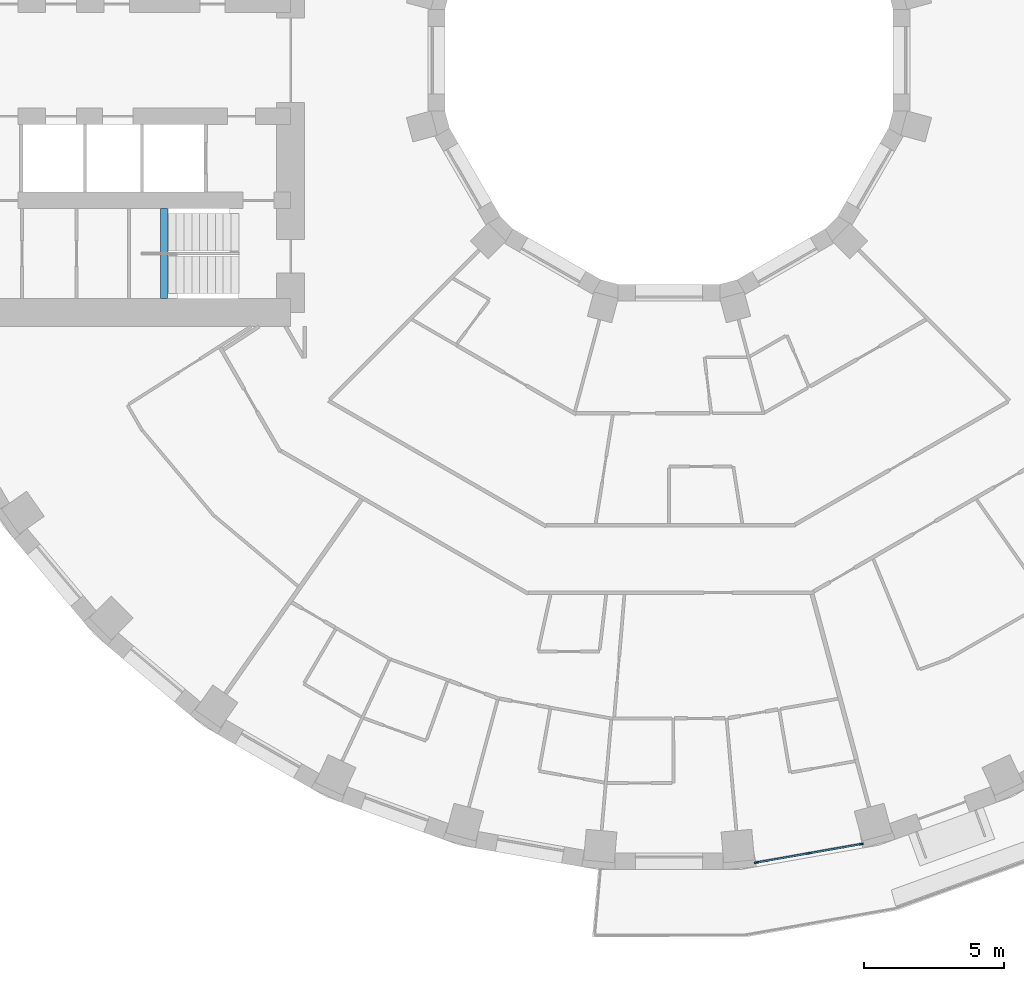
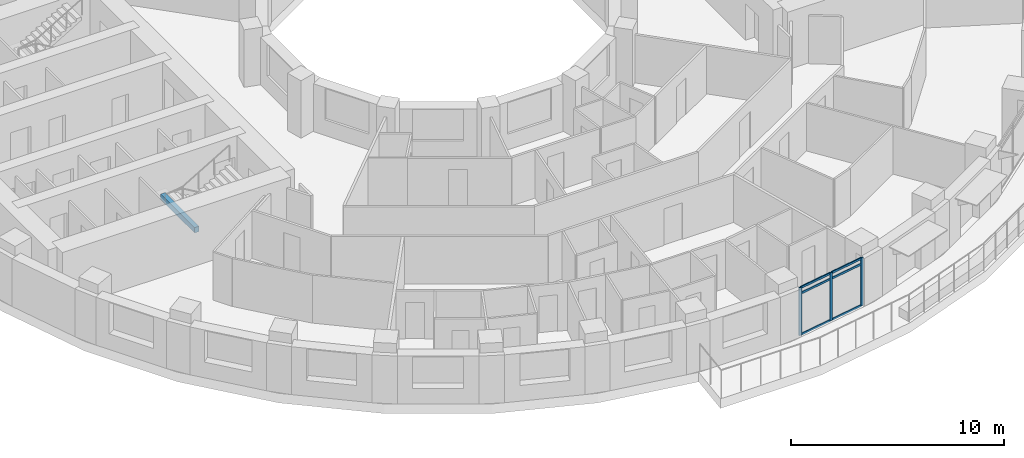
# One storey, part 2 of 16: 9 members, 1 beam, 1 element without a shape of its own.
"""IFC4 building model written with IfcOpenShell, lengths in metres."""

from ifc_helpers import new_model, si_unit, direction, frame, origin, origin_2d, place, context, subcontext, project, spatial, rectangle, extrude, material, layer, layer_set, material_profile, profile_set, type_object, element, aggregate, save


model = new_model("IFC4")

# Units and contexts
model_context = context("Model", 3, precision=1e-05, world=origin(), true_north=direction((0.0, 1.0)))
body_context = subcontext(model_context, "Body", "Model", "MODEL_VIEW")
ifc_project = project(units=[si_unit("LENGTHUNIT", "METRE"), si_unit("AREAUNIT", "SQUARE_METRE"), si_unit("VOLUMEUNIT", "CUBIC_METRE"), si_unit("PLANEANGLEUNIT", "RADIAN"), si_unit("MASSUNIT", "GRAM", prefix="KILO")], contexts=[model_context])

# Site, building, storey
site_placement = place(None, origin())
site = spatial("IfcSite", under=ifc_project, at=site_placement, CompositionType="ELEMENT")
building_placement = place(site_placement, origin())
building = spatial("IfcBuilding", under=site, at=building_placement, Name="Saqina Gate Tower", CompositionType="ELEMENT")
storey_placement = place(building_placement, frame((0.0, 0.0, 32.89990234375)))
storey = spatial("IfcBuildingStorey", under=building, at=storey_placement, Name="L08", CompositionType="ELEMENT", Elevation=32.89990234375)

# Curtain wall, members
ifc_material_1 = material(Name="Aluminium glazing", Category="aluminium")
ifc_layer = layer(ifc_material_1, 0.159912109375)
ifc_layer_set = layer_set([ifc_layer], Name="CWT-4")
curtain_wall_type = type_object("IfcCurtainWallType", Name="CWT-4", PredefinedType="NOTDEFINED", material=ifc_layer_set)
curtain_wall_placement = place(storey_placement, origin())
curtain_wall = element("IfcCurtainWall", 1, at=curtain_wall_placement, inside=storey, type_object=curtain_wall_type, Name="Terrace lounge glazing facet 28", PredefinedType="NOTDEFINED")
ifc_material_2 = material(Name="Aluminium", Category="aluminium")
ifc_material_profile_1 = material_profile(ifc_material_2, rectangle(XDim=0.06005859375, YDim=0.159912109375, at=origin_2d()), Name="Aluminium 60x160")
ifc_profile_set_1 = profile_set([ifc_material_profile_1], Name="Aluminium")
member_type_1 = type_object("IfcMemberType", Name="CWT-4M", PredefinedType="MULLION", material=ifc_profile_set_1)
member_1_placement = place(storey_placement, frame((3.12646484375, -28.631591796875, 0.0), z_axis=(0.0, 0.0, 1.0), x_axis=(-0.17364293059, 0.984808678199, 0.0)))
member_1 = element("IfcMember", 2, at=member_1_placement, type_object=member_type_1, Name="CW4-28 mullion 1", PredefinedType="MULLION", context=body_context, shape_type="SweptSolid", body=[
    extrude(rectangle(XDim=0.06005859375, YDim=0.159912109375, at=origin_2d()), origin(), (0.0, 0.0, 1.0), 2.75),
])
member_2_placement = place(storey_placement, frame((4.990478515625, -28.302978515625, 0.0), z_axis=(0.0, 0.0, 1.0), x_axis=(-0.17364293059, 0.984808678199, 0.0)))
member_2 = element("IfcMember", 3, at=member_2_placement, type_object=member_type_1, Name="CW4-28 mullion 2", PredefinedType="MULLION", context=body_context, shape_type="SweptSolid", body=[
    extrude(rectangle(XDim=0.06005859375, YDim=0.159912109375, at=origin_2d()), origin(), (0.0, 0.0, 1.0), 2.75),
])
member_3_placement = place(storey_placement, frame((6.854736328125, -27.974365234375, 0.0), z_axis=(0.0, 0.0, 1.0), x_axis=(-0.17364293059, 0.984808678199, 0.0)))
member_3 = element("IfcMember", 4, at=member_3_placement, type_object=member_type_1, Name="CW4-28 mullion 3", PredefinedType="MULLION", context=body_context, shape_type="SweptSolid", body=[
    extrude(rectangle(XDim=0.06005859375, YDim=0.159912109375, at=origin_2d()), origin(), (0.0, 0.0, 1.0), 2.75),
])
ifc_material_3 = material(Name="Aluminium", Category="aluminium")
ifc_material_profile_2 = material_profile(ifc_material_3, rectangle(XDim=0.06005859375, YDim=0.1201171875, at=origin_2d()), Name="Aluminium 60x120")
ifc_profile_set_2 = profile_set([ifc_material_profile_2], Name="Aluminium")
member_type_2 = type_object("IfcMemberType", Name="CWT-4T", PredefinedType="USERDEFINED", material=ifc_profile_set_2)
member_4_placement = place(storey_placement, frame((3.156005859375, -28.62646484375, 0.030029296875), z_axis=(0.984798306365, 0.173701743744, 0.0), x_axis=(-0.173701743744, 0.984798306365, 0.0)))
member_4 = element("IfcMember", 5, at=member_4_placement, type_object=member_type_2, Name="CW4-28 transom 1.1", ObjectType="TRANSOM", PredefinedType="USERDEFINED", context=body_context, shape_type="SweptSolid", body=[
    extrude(rectangle(XDim=0.06005859375, YDim=0.1201171875, at=origin_2d()), origin(), (0.0, 0.0, 1.0), 1.832763671875),
])
member_5_placement = place(storey_placement, frame((3.156005859375, -28.62646484375, 2.400146484375), z_axis=(0.984798306365, 0.173701743744, 0.0), x_axis=(-0.173701743744, 0.984798306365, 0.0)))
member_5 = element("IfcMember", 6, at=member_5_placement, type_object=member_type_2, Name="CW4-28 transom 1.2", ObjectType="TRANSOM", PredefinedType="USERDEFINED", context=body_context, shape_type="SweptSolid", body=[
    extrude(rectangle(XDim=0.06005859375, YDim=0.1201171875, at=origin_2d()), origin(), (0.0, 0.0, 1.0), 1.832763671875),
])
member_6_placement = place(storey_placement, frame((3.156005859375, -28.62646484375, 2.72021484375), z_axis=(0.984798306365, 0.173701743744, 0.0), x_axis=(-0.173701743744, 0.984798306365, 0.0)))
member_6 = element("IfcMember", 7, at=member_6_placement, type_object=member_type_2, Name="CW4-28 transom 1.3", ObjectType="TRANSOM", PredefinedType="USERDEFINED", context=body_context, shape_type="SweptSolid", body=[
    extrude(rectangle(XDim=0.06005859375, YDim=0.1201171875, at=origin_2d()), origin(), (0.0, 0.0, 1.0), 1.832763671875),
])
member_7_placement = place(storey_placement, frame((5.020263671875, -28.2978515625, 0.030029296875), z_axis=(0.984798306365, 0.173701743744, 0.0), x_axis=(-0.173701743744, 0.984798306365, 0.0)))
member_7 = element("IfcMember", 8, at=member_7_placement, type_object=member_type_2, Name="CW4-28 transom 2.1", ObjectType="TRANSOM", PredefinedType="USERDEFINED", context=body_context, shape_type="SweptSolid", body=[
    extrude(rectangle(XDim=0.06005859375, YDim=0.1201171875, at=origin_2d()), origin(), (0.0, 0.0, 1.0), 1.832763671875),
])
member_8_placement = place(storey_placement, frame((5.020263671875, -28.2978515625, 2.400146484375), z_axis=(0.984798306365, 0.173701743744, 0.0), x_axis=(-0.173701743744, 0.984798306365, 0.0)))
member_8 = element("IfcMember", 9, at=member_8_placement, type_object=member_type_2, Name="CW4-28 transom 2.2", ObjectType="TRANSOM", PredefinedType="USERDEFINED", context=body_context, shape_type="SweptSolid", body=[
    extrude(rectangle(XDim=0.06005859375, YDim=0.1201171875, at=origin_2d()), origin(), (0.0, 0.0, 1.0), 1.832763671875),
])
member_9_placement = place(storey_placement, frame((5.020263671875, -28.2978515625, 2.72021484375), z_axis=(0.984798306365, 0.173701743744, 0.0), x_axis=(-0.173701743744, 0.984798306365, 0.0)))
member_9 = element("IfcMember", 10, at=member_9_placement, type_object=member_type_2, Name="CW4-28 transom 2.3", ObjectType="TRANSOM", PredefinedType="USERDEFINED", context=body_context, shape_type="SweptSolid", body=[
    extrude(rectangle(XDim=0.06005859375, YDim=0.1201171875, at=origin_2d()), origin(), (0.0, 0.0, 1.0), 1.832763671875),
])
aggregate(curtain_wall, [member_1, member_2, member_3, member_4, member_5, member_6, member_7, member_8, member_9])

# Beam
ifc_material_4 = material(Name="Concrete C40/50", Category="concrete")
ifc_material_profile_3 = material_profile(ifc_material_4, rectangle(XDim=0.25, YDim=0.300048828125, at=origin_2d()), Name="STAIR LANDING BEAM")
ifc_profile_set_3 = profile_set([ifc_material_profile_3], Name="Concrete C40/50")
beam_type = type_object("IfcBeamType", Name="STAIR LANDING BEAM", PredefinedType="BEAM", material=ifc_profile_set_3)
beam_placement = place(storey_placement, frame((-18.02001953125, -8.5, 1.25), z_axis=(0.0, 1.0, 0.0), x_axis=(-1.0, 0.0, 0.0)))
element("IfcBeam", 11, at=beam_placement, inside=storey, type_object=beam_type, Name="EXIT STAIR 4 LANDING BEAM", PredefinedType="BEAM", context=body_context, shape_type="SweptSolid", body=[
    extrude(rectangle(XDim=0.25, YDim=0.300048828125, at=origin_2d()), origin(), (0.0, 0.0, 1.0), 3.199951171875),
])

save(model, "model.ifc")
